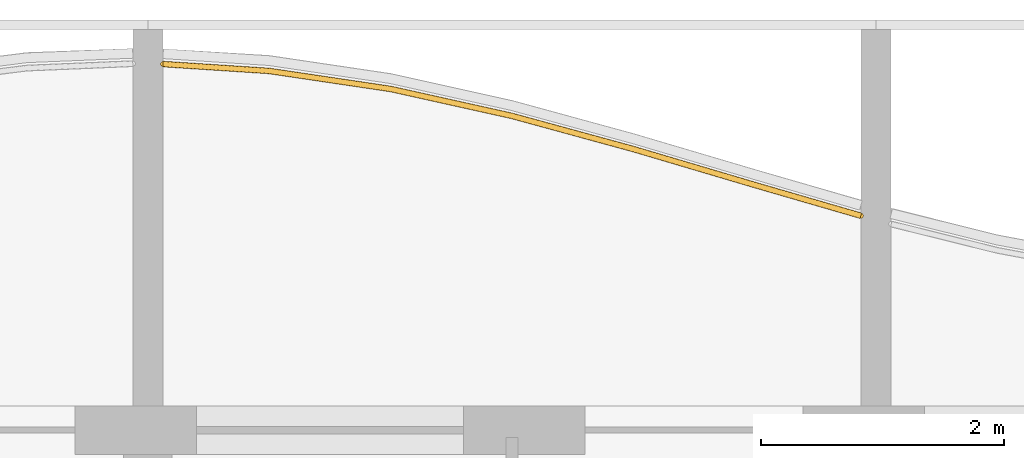
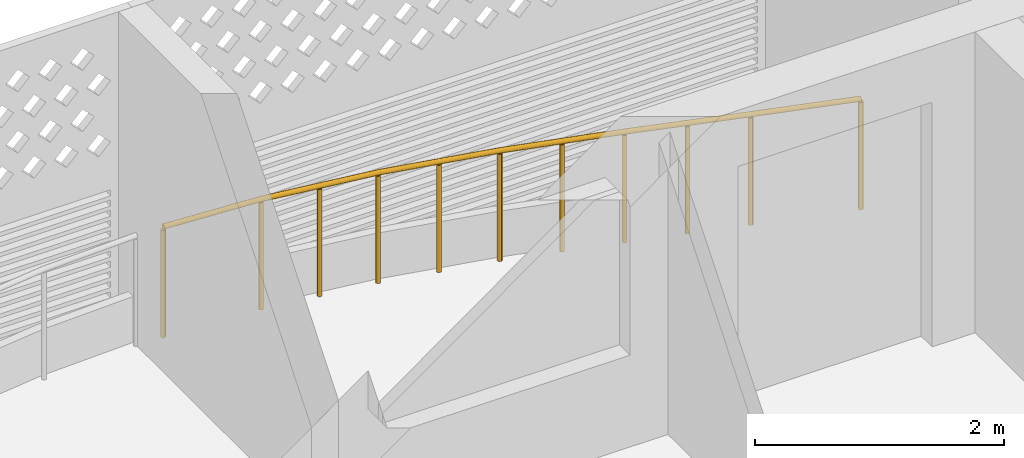
# One storey, part 21 of 39: 1 railing.
"""IFC4 building model written with IfcOpenShell, lengths in metres."""

from ifc_helpers import new_model, si_unit, direction, frame, origin, origin_2d, place, context, subcontext, project, spatial, circle, extrude, material, type_object, element, save


model = new_model("IFC4")

# Units and contexts
model_context = context("Model", 3, precision=1e-05, world=origin(), true_north=direction((0.0, 1.0)))
body_context = subcontext(model_context, "Body", "Model", "MODEL_VIEW")
ifc_project = project(units=[si_unit("LENGTHUNIT", "METRE"), si_unit("AREAUNIT", "SQUARE_METRE"), si_unit("VOLUMEUNIT", "CUBIC_METRE"), si_unit("PLANEANGLEUNIT", "RADIAN"), si_unit("MASSUNIT", "GRAM", prefix="KILO")], contexts=[model_context])

# Site, building, storey
site_placement = place(None, origin())
site = spatial("IfcSite", under=ifc_project, at=site_placement, CompositionType="ELEMENT")
building_placement = place(site_placement, origin())
building = spatial("IfcBuilding", under=site, at=building_placement, Name="Poui Terraces", CompositionType="ELEMENT")
storey_placement = place(building_placement, frame((0.0, 0.0, 63.0)))
storey = spatial("IfcBuildingStorey", under=building, at=storey_placement, Name="L17", CompositionType="ELEMENT", Elevation=63.0)

# Railing
ifc_material = material(Name="Painted steel fretwork", Category="steel")
railing_type = type_object("IfcRailingType", Name="BALCONY GUARD 1100", PredefinedType="GUARDRAIL", material=ifc_material)
railing_placement = place(storey_placement, frame((18.125, 47.81689453125, 0.0)))
element("IfcRailing", 1, at=railing_placement, inside=storey, type_object=railing_type, Name="BALCONY GUARD", PredefinedType="GUARDRAIL", context=body_context, shape_type="SweptSolid", body=[
    extrude(circle(Radius=0.02392578125, at=origin_2d()), frame((0.0, 0.0, 1.076171875), z_axis=(0.997893449569, -0.064874211426, 0.0), x_axis=(0.064874211426, 0.997893449569, 0.0)), (0.0, 0.0, 1.0), 0.876953125),
    extrude(circle(Radius=0.02392578125, at=origin_2d()), frame((0.875, -0.056884765625, 1.076171875), z_axis=(0.989161931015, -0.146828724135, 0.0), x_axis=(0.146828724135, 0.989161931015, 0.0)), (0.0, 0.0, 1.0), 1.010986328125),
    extrude(circle(Radius=0.02392578125, at=origin_2d()), frame((1.875, -0.205322265625, 1.076171875), z_axis=(0.976198274393, -0.216879987719, 0.0), x_axis=(0.216879987719, 0.976198274393, 0.0)), (0.0, 0.0, 1.0), 1.0244140625),
    extrude(circle(Radius=0.02392578125, at=origin_2d()), frame((2.875, -0.427490234375, 1.076171875), z_axis=(0.964709448785, -0.263316690367, 0.0), x_axis=(0.263316690367, 0.964709448785, 0.0)), (0.0, 0.0, 1.0), 1.03662109375),
    extrude(circle(Radius=0.02392578125, at=origin_2d()), frame((3.875, -0.700439453125, 1.076171875), z_axis=(0.958901964879, -0.283737593123, 0.0), x_axis=(0.283737593123, 0.958901964879, 0.0)), (0.0, 0.0, 1.0), 1.04296875),
    extrude(circle(Radius=0.02392578125, at=origin_2d()), frame((4.875, -0.996337890625, 1.076171875), z_axis=(0.960454941812, -0.278435458857, 0.0), x_axis=(0.278435458857, 0.960454941812, 0.0)), (0.0, 0.0, 1.0), 0.9111328125),
    extrude(circle(Radius=0.02099609375, at=origin_2d()), origin(), (0.0, 0.0, 1.0), 1.052001953125),
    extrude(circle(Radius=0.02099609375, at=origin_2d()), frame((0.875, -0.056884765625, 0.0)), (0.0, 0.0, 1.0), 1.052001953125),
    extrude(circle(Radius=0.02099609375, at=origin_2d()), frame((1.375, -0.131103515625, 0.0)), (0.0, 0.0, 1.0), 1.052001953125),
    extrude(circle(Radius=0.02099609375, at=origin_2d()), frame((1.875, -0.205322265625, 0.0)), (0.0, 0.0, 1.0), 1.052001953125),
    extrude(circle(Radius=0.02099609375, at=origin_2d()), frame((2.375, -0.31640625, 0.0)), (0.0, 0.0, 1.0), 1.052001953125),
    extrude(circle(Radius=0.02099609375, at=origin_2d()), frame((2.875, -0.427490234375, 0.0)), (0.0, 0.0, 1.0), 1.052001953125),
    extrude(circle(Radius=0.02099609375, at=origin_2d()), frame((3.375, -0.56396484375, 0.0)), (0.0, 0.0, 1.0), 1.052001953125),
    extrude(circle(Radius=0.02099609375, at=origin_2d()), frame((3.875, -0.700439453125, 0.0)), (0.0, 0.0, 1.0), 1.052001953125),
    extrude(circle(Radius=0.02099609375, at=origin_2d()), frame((4.375, -0.848388671875, 0.0)), (0.0, 0.0, 1.0), 1.052001953125),
    extrude(circle(Radius=0.02099609375, at=origin_2d()), frame((4.875, -0.996337890625, 0.0)), (0.0, 0.0, 1.0), 1.052001953125),
    extrude(circle(Radius=0.02099609375, at=origin_2d()), frame((5.75, -1.25, 0.0)), (0.0, 0.0, 1.0), 1.052001953125),
])

save(model, "model.ifc")
